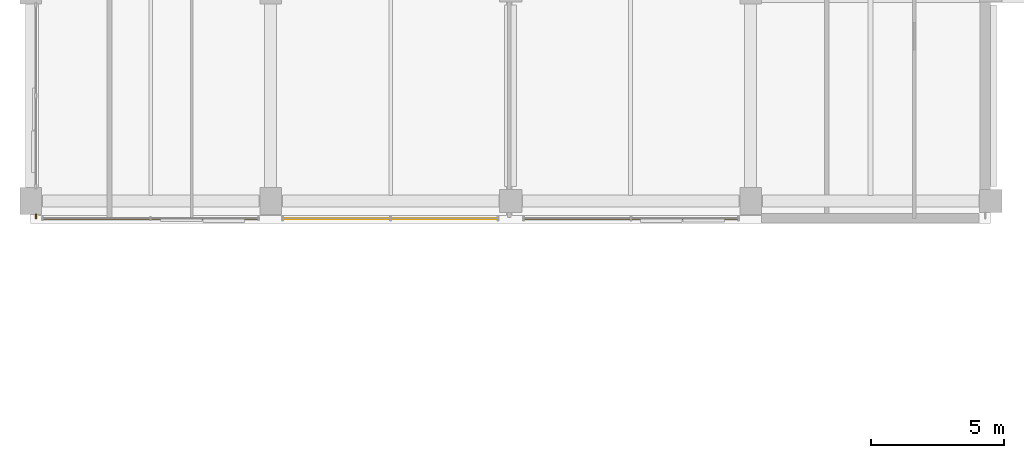
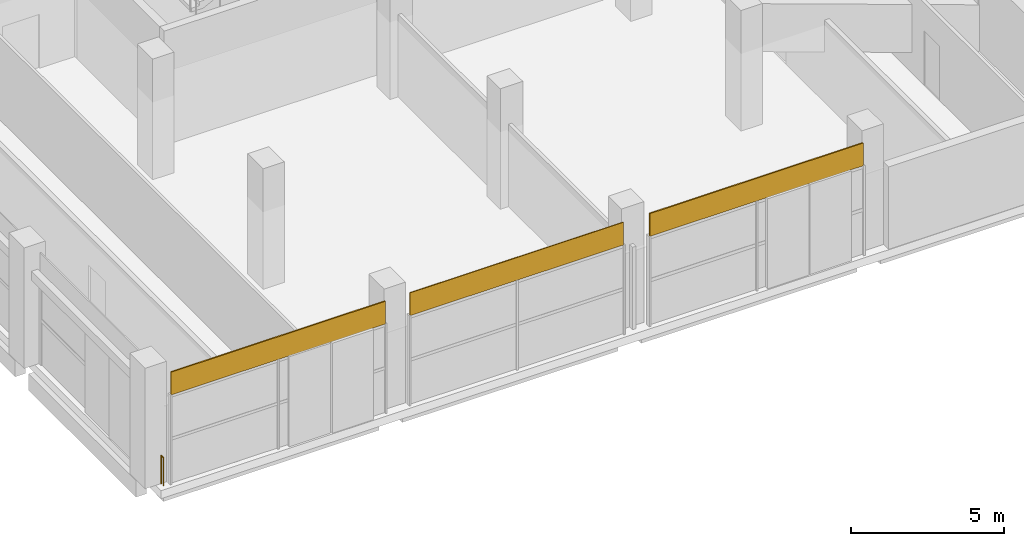
# One storey, part 56 of 66: 3 coverings, 1 railing.
"""IFC4 building model written with IfcOpenShell, lengths in metres."""

from ifc_helpers import new_model, si_unit, direction, frame, origin, origin_2d, place, context, subcontext, project, spatial, rectangle, circle, extrude, material, layer, layer_set, type_object, element, save


model = new_model("IFC4")

# Units and contexts
model_context = context("Model", 3, precision=1e-05, world=origin(), true_north=direction((0.0, 1.0)))
body_context = subcontext(model_context, "Body", "Model", "MODEL_VIEW")
ifc_project = project(units=[si_unit("LENGTHUNIT", "METRE"), si_unit("AREAUNIT", "SQUARE_METRE"), si_unit("VOLUMEUNIT", "CUBIC_METRE"), si_unit("PLANEANGLEUNIT", "RADIAN"), si_unit("MASSUNIT", "GRAM", prefix="KILO"), si_unit("THERMODYNAMICTEMPERATUREUNIT", "KELVIN"), si_unit("POWERUNIT", "WATT")], contexts=[model_context])

# Site, building, storey
site_placement = place(None, origin())
site = spatial("IfcSite", under=ifc_project, at=site_placement, CompositionType="ELEMENT")
building_placement = place(site_placement, origin())
building = spatial("IfcBuilding", under=site, at=building_placement, Name="Sindhuravela Promenade Stadium", CompositionType="ELEMENT")
storey_placement = place(building_placement, frame((0.0, 0.0, 19.199951171875)))
storey = spatial("IfcBuildingStorey", under=building, at=storey_placement, Name="L04", CompositionType="ELEMENT", Elevation=19.199951171875)

# Coverings
ifc_material_1 = material(Name="Polychrome trencadis ceramic mosaic", Category="masonry")
ifc_layer_1 = layer(ifc_material_1, 0.034912109375)
ifc_layer_set_1 = layer_set([ifc_layer_1], Name="Polychrome trencadis ceramic mosaic")
covering_type_1 = type_object("IfcCoveringType", Name="CV-TRENC-1", PredefinedType="CLADDING", material=ifc_layer_set_1)
covering_1_placement = place(storey_placement, frame((13.487548828125, 36.429931640625, 3.55517578125), z_axis=(0.0, 0.0, 1.0), x_axis=(-1.0, 0.0, 0.0)))
element("IfcCovering", 1, at=covering_1_placement, inside=storey, type_object=covering_type_1, Name="Trencadis ceramic mosaic spandrel frieze WEST L04-116", PredefinedType="CLADDING", context=body_context, shape_type="SweptSolid", body=[
    extrude(rectangle(XDim=8.044921875, YDim=0.034912109375, at=origin_2d()), origin(), (0.0, 0.0, 1.0), 0.905029296875),
])
ifc_layer_2 = layer(ifc_material_1, 0.050048828125)
ifc_layer_set_2 = layer_set([ifc_layer_2], Name="Polychrome trencadis ceramic mosaic")
covering_type_2 = type_object("IfcCoveringType", Name="CV-TRENC-2", PredefinedType="CLADDING", material=ifc_layer_set_2)
covering_2_placement = place(storey_placement, frame((22.512451171875, 36.429931640625, 3.55517578125), z_axis=(0.0, 0.0, 1.0), x_axis=(-1.0, 0.0, 0.0)))
element("IfcCovering", 2, at=covering_2_placement, inside=storey, type_object=covering_type_2, Name="Trencadis ceramic mosaic spandrel frieze WEST L04-115", PredefinedType="CLADDING", context=body_context, shape_type="SweptSolid", body=[
    extrude(rectangle(XDim=8.044921875, YDim=0.050048828125, at=origin_2d()), origin(), (0.0, 0.0, 1.0), 0.905029296875),
])
covering_3_placement = place(storey_placement, frame((4.5, 36.429931640625, 3.55517578125), z_axis=(0.0, 0.0, 1.0), x_axis=(-1.0, 0.0, 0.0)))
element("IfcCovering", 3, at=covering_3_placement, inside=storey, type_object=covering_type_2, Name="Trencadis ceramic mosaic spandrel frieze WEST L04-117", PredefinedType="CLADDING", context=body_context, shape_type="SweptSolid", body=[
    extrude(rectangle(XDim=8.070068359375, YDim=0.050048828125, at=origin_2d()), origin(), (0.0, 0.0, 1.0), 0.905029296875),
])

# Railing
ifc_material_2 = material(Name="Architectural wrought steel E350", Category="steel")
railing_type = type_object("IfcRailingType", Name="RL-GRD-1150", PredefinedType="GUARDRAIL", material=ifc_material_2)
railing_placement = place(storey_placement, frame((0.199951171875, 36.449951171875, 0.0)))
element("IfcRailing", 4, at=railing_placement, inside=storey, type_object=railing_type, Name="Perimeter edge return guard WEST L04", PredefinedType="GUARDRAIL", context=body_context, shape_type="SweptSolid", body=[
    extrude(circle(Radius=0.02392578125, at=origin_2d()), frame((0.0, 0.0, 1.1259765625), z_axis=(0.0, 1.0, 0.0), x_axis=(-1.0, 0.0, 0.0)), (0.0, 0.0, 1.0), 0.14501953125),
    extrude(circle(Radius=0.02099609375, at=origin_2d()), origin(), (0.0, 0.0, 1.0), 1.101806640625),
    extrude(circle(Radius=0.02099609375, at=origin_2d()), frame((0.0, 0.14501953125, 0.0)), (0.0, 0.0, 1.0), 1.101806640625),
])

save(model, "model.ifc")
